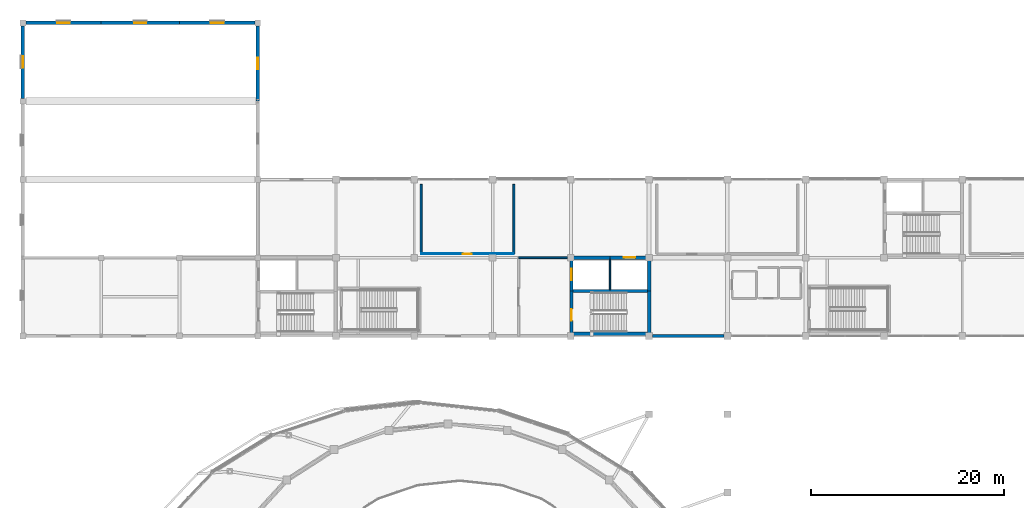
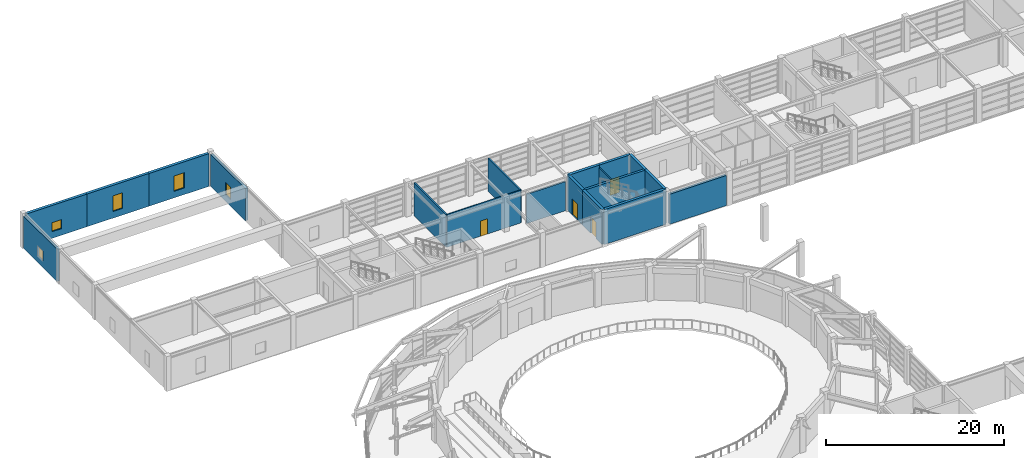
# One storey, part 45 of 58: 19 walls, 5 windows, 4 doors, 9 openings.
"""IFC4 building model written with IfcOpenShell, lengths in metres."""

from ifc_helpers import new_model, si_unit, direction, frame, frame_2d, origin, place, context, subcontext, project, spatial, rectangle, extrude, material, layer, layer_set, type_object, element, fill, save


model = new_model("IFC4")

# Units and contexts
model_context = context("Model", 3, precision=1e-05, world=origin(), true_north=direction((0.0, 1.0)))
body_context = subcontext(model_context, "Body", "Model", "MODEL_VIEW")
ifc_project = project(units=[si_unit("LENGTHUNIT", "METRE"), si_unit("AREAUNIT", "SQUARE_METRE"), si_unit("VOLUMEUNIT", "CUBIC_METRE"), si_unit("PLANEANGLEUNIT", "RADIAN"), si_unit("MASSUNIT", "GRAM", prefix="KILO")], contexts=[model_context])

# Site, building, storey
site_placement = place(None, origin())
site = spatial("IfcSite", under=ifc_project, at=site_placement, CompositionType="ELEMENT")
building_placement = place(site_placement, origin())
building = spatial("IfcBuilding", under=site, at=building_placement, Name="Parian Resonance Hall", CompositionType="ELEMENT")
storey_placement = place(building_placement, frame((0.0, 0.0, 10.199951171875)))
storey = spatial("IfcBuildingStorey", under=building, at=storey_placement, Name="L02", CompositionType="ELEMENT", Elevation=10.199951171875)

# Wall
ifc_material_1 = material(Name="Concrete C40/50", Category="concrete")
ifc_layer_1 = layer(ifc_material_1, 0.31005859375)
ifc_layer_set_1 = layer_set([ifc_layer_1], Name="Concrete C40/50")
wall_type_1 = type_object("IfcWallType", Name="CW310", PredefinedType="SHEAR", material=ifc_layer_set_1)
wall_1_placement = place(storey_placement, frame((56.77001953125, 77.550048828125, 0.0), z_axis=(0.0, 0.0, 1.0), x_axis=(1.0, 0.0, 0.0)))
element("IfcWall", 1, at=wall_1_placement, inside=storey, type_object=wall_type_1, Name="Core K1 stair-lift divider wall L02", PredefinedType="SHEAR", context=body_context, shape_type="SweptSolid", body=[
    extrude(rectangle(XDim=8.06005859375, YDim=0.31005859375, at=frame_2d((4.030029296875, 0.0))), origin(), (0.0, 0.0, 1.0), 4.800048828125),
])

# Wall, opening, door
ifc_material_2 = material(Name="Concrete C40/50", Category="concrete")
ifc_layer_2 = layer(ifc_material_2, 0.35009765625)
ifc_layer_set_2 = layer_set([ifc_layer_2], Name="Concrete C40/50")
wall_type_2 = type_object("IfcWallType", Name="CW350", PredefinedType="SHEAR", material=ifc_layer_set_2)
wall_2_placement = place(storey_placement, frame((56.77001953125, 73.1298828125, 0.0), z_axis=(0.0, 0.0, 1.0), x_axis=(0.0, 1.0, 0.0)))
wall_2 = element("IfcWall", 2, at=wall_2_placement, inside=storey, type_object=wall_type_2, Name="Core K1 stairwell west shear wall L02", PredefinedType="SHEAR", context=body_context, shape_type="SweptSolid", body=[
    extrude(rectangle(XDim=4.420166015625, YDim=0.35009765625, at=frame_2d((2.2099609375, 0.0))), origin(), (0.0, 0.0, 1.0), 4.800048828125),
])
opening_1_placement = place(wall_2_placement, frame((1.35009765625, 0.0, 0.0)))
opening_1 = element("IfcOpeningElement", 3, at=opening_1_placement, cuts=wall_2, Name="Opening FD-01", PredefinedType="OPENING", context=body_context, shape_type="SweptSolid", body=[
    extrude(rectangle(XDim=1.199951171875, YDim=2.25, at=frame_2d((0.60009765625, 1.125))), frame((0.0, 0.18505859375, 0.0), z_axis=(0.0, -1.0, 0.0), x_axis=(1.0, 0.0, 0.0)), (0.0, 0.0, 1.0), 0.3701171875),
])
ifc_material_3 = material(Name="Fire-rated acoustic steel and narra timber door", Category="steel")
door_type_1 = type_object("IfcDoorType", Name="FD-01", OperationType="NOTDEFINED", PredefinedType="DOOR", material=ifc_material_3)
door_1_placement = place(opening_1_placement, origin())
door_1 = element("IfcDoor", 4, at=door_1_placement, inside=storey, type_object=door_type_1, Name="Exit stair ST-01 fire door L02", OperationType="SINGLE_SWING_RIGHT", OverallHeight=2.25, OverallWidth=1.199951171875, PredefinedType="DOOR", context=body_context, shape_type="SweptSolid", body=[
    extrude(rectangle(XDim=1.199951171875, YDim=2.25, at=frame_2d((0.60009765625, 1.125))), frame((0.0, 0.02490234375, 0.0), z_axis=(0.0, -1.0, 0.0), x_axis=(1.0, 0.0, 0.0)), (0.0, 0.0, 1.0), 0.050048828125),
])
fill(opening_1, door_1)

wall_3_placement = place(storey_placement, frame((56.77001953125, 77.550048828125, 0.0), z_axis=(0.0, 0.0, 1.0), x_axis=(0.0, 1.0, 0.0)))
wall_3 = element("IfcWall", 5, at=wall_3_placement, inside=storey, type_object=wall_type_2, Name="Core K1 lift shaft west shear wall L02", PredefinedType="SHEAR", context=body_context, shape_type="SweptSolid", body=[
    extrude(rectangle(XDim=3.449951171875, YDim=0.35009765625, at=frame_2d((1.72509765625, 0.0))), origin(), (0.0, 0.0, 1.0), 4.800048828125),
])
opening_2_placement = place(wall_3_placement, frame((1.125, 0.0, 0.0)))
opening_2 = element("IfcOpeningElement", 6, at=opening_2_placement, cuts=wall_3, Name="Opening LD-01", PredefinedType="OPENING", context=body_context, shape_type="SweptSolid", body=[
    extrude(rectangle(XDim=1.199951171875, YDim=2.199951171875, at=frame_2d((0.60009765625, 1.10009765625))), frame((0.0, 0.18505859375, 0.0), z_axis=(0.0, -1.0, 0.0), x_axis=(1.0, 0.0, 0.0)), (0.0, 0.0, 1.0), 0.3701171875),
])
ifc_material_4 = material(Name="Stainless steel and bronze elevator cab", Category="steel")
door_type_2 = type_object("IfcDoorType", Name="DOOR-LIFT-1200x2200", OperationType="SLIDING_TO_LEFT", PredefinedType="DOOR", material=ifc_material_4)
door_2_placement = place(opening_2_placement, origin())
door_2 = element("IfcDoor", 7, at=door_2_placement, inside=storey, type_object=door_type_2, Name="Lift LF-01 sliding landing door L02", OperationType="SLIDING_TO_LEFT", OverallHeight=2.199951171875, OverallWidth=1.199951171875, PredefinedType="DOOR", context=body_context, shape_type="SweptSolid", body=[
    extrude(rectangle(XDim=1.199951171875, YDim=2.199951171875, at=frame_2d((0.60009765625, 1.10009765625))), frame((0.0, 0.02490234375, 0.0), z_axis=(0.0, -1.0, 0.0), x_axis=(1.0, 0.0, 0.0)), (0.0, 0.0, 1.0), 0.050048828125),
])
fill(opening_2, door_2)

# Wall
wall_4_placement = place(storey_placement, frame((56.77001953125, 81.0, 0.0), z_axis=(0.0, 0.0, 1.0), x_axis=(1.0, 0.0, 0.0)))
element("IfcWall", 8, at=wall_4_placement, inside=storey, type_object=wall_type_2, Name="Core K1 north-west shaft wall L02", PredefinedType="SHEAR", context=body_context, shape_type="SweptSolid", body=[
    extrude(rectangle(XDim=3.97998046875, YDim=0.35009765625, at=frame_2d((1.989990234375, 0.0))), origin(), (0.0, 0.0, 1.0), 4.800048828125),
])

# Wall, opening, door
wall_5_placement = place(storey_placement, frame((60.75, 81.0, 0.0), z_axis=(0.0, 0.0, 1.0), x_axis=(1.0, 0.0, 0.0)))
wall_5 = element("IfcWall", 9, at=wall_5_placement, inside=storey, type_object=wall_type_2, Name="Core K1 north-east shaft wall L02", PredefinedType="SHEAR", context=body_context, shape_type="SweptSolid", body=[
    extrude(rectangle(XDim=4.080078125, YDim=0.35009765625, at=frame_2d((2.0400390625, 0.0))), origin(), (0.0, 0.0, 1.0), 4.800048828125),
])
opening_3_placement = place(wall_5_placement, frame((1.43994140625, 0.0, 0.0)))
opening_3 = element("IfcOpeningElement", 10, at=opening_3_placement, cuts=wall_5, Name="Opening LD-01", PredefinedType="OPENING", context=body_context, shape_type="SweptSolid", body=[
    extrude(rectangle(XDim=1.199951171875, YDim=2.199951171875, at=frame_2d((0.60009765625, 1.10009765625))), frame((0.0, 0.18505859375, 0.0), z_axis=(0.0, -1.0, 0.0), x_axis=(1.0, 0.0, 0.0)), (0.0, 0.0, 1.0), 0.3701171875),
])
door_3_placement = place(opening_3_placement, origin())
door_3 = element("IfcDoor", 11, at=door_3_placement, inside=storey, type_object=door_type_2, Name="Lift LF-03 sliding landing door L02", OperationType="SLIDING_TO_LEFT", OverallHeight=2.199951171875, OverallWidth=1.199951171875, PredefinedType="DOOR", context=body_context, shape_type="SweptSolid", body=[
    extrude(rectangle(XDim=1.199951171875, YDim=2.199951171875, at=frame_2d((0.60009765625, 1.10009765625))), frame((0.0, 0.02490234375, 0.0), z_axis=(0.0, -1.0, 0.0), x_axis=(1.0, 0.0, 0.0)), (0.0, 0.0, 1.0), 0.050048828125),
])
fill(opening_3, door_3)

# Walls
wall_6_placement = place(storey_placement, frame((64.830078125, 81.0, 0.0), z_axis=(0.0, 0.0, 1.0), x_axis=(0.0, -1.0, 0.0)))
element("IfcWall", 12, at=wall_6_placement, inside=storey, type_object=wall_type_2, Name="Core K1 east shaft wall L02", PredefinedType="SHEAR", context=body_context, shape_type="SweptSolid", body=[
    extrude(rectangle(XDim=3.449951171875, YDim=0.35009765625, at=frame_2d((1.72509765625, 0.0))), origin(), (0.0, 0.0, 1.0), 4.800048828125),
])
wall_7_placement = place(storey_placement, frame((64.830078125, 77.550048828125, 0.0), z_axis=(0.0, 0.0, 1.0), x_axis=(0.0, -1.0, 0.0)))
element("IfcWall", 13, at=wall_7_placement, inside=storey, type_object=wall_type_2, Name="Core K1 stairwell east wall L02", PredefinedType="SHEAR", context=body_context, shape_type="SweptSolid", body=[
    extrude(rectangle(XDim=4.420166015625, YDim=0.35009765625, at=frame_2d((2.2099609375, 0.0))), origin(), (0.0, 0.0, 1.0), 4.800048828125),
])
wall_8_placement = place(storey_placement, frame((64.830078125, 73.1298828125, 0.0), z_axis=(0.0, 0.0, 1.0), x_axis=(-1.0, 0.0, 0.0)))
element("IfcWall", 14, at=wall_8_placement, inside=storey, type_object=wall_type_2, Name="Core K1 stairwell south wall L02", PredefinedType="SHEAR", context=body_context, shape_type="SweptSolid", body=[
    extrude(rectangle(XDim=8.06005859375, YDim=0.35009765625, at=frame_2d((4.030029296875, 0.0))), origin(), (0.0, 0.0, 1.0), 4.800048828125),
])

# Wall, opening, window
ifc_material_5 = material(Name="Concrete C35/45 with Carcar coral-limestone ashlar", Category="masonry")
ifc_layer_3 = layer(ifc_material_5, 0.340087890625)
ifc_layer_set_3 = layer_set([ifc_layer_3], Name="Concrete C35/45 with Carcar coral-limestone ashlar")
wall_type_3 = type_object("IfcWallType", Name="EW-STONE-340", PredefinedType="SOLIDWALL", material=ifc_layer_set_3)
wall_9_placement = place(storey_placement, frame((24.300048828125, 97.199951171875, 0.0), z_axis=(0.0, 0.0, 1.0), x_axis=(0.0, 1.0, 0.0)))
wall_9 = element("IfcWall", 15, at=wall_9_placement, inside=storey, type_object=wall_type_3, Name="Exterior wall EW-L02-0116", PredefinedType="SOLIDWALL", context=body_context, shape_type="SweptSolid", body=[
    extrude(rectangle(XDim=7.800048828125, YDim=0.340087890625, at=frame_2d((3.89990234375, 0.0))), origin(), (0.0, 0.0, 1.0), 4.43701171875),
])
opening_4_placement = place(wall_9_placement, frame((3.324951171875, 0.0, 0.89990234375)))
opening_4 = element("IfcOpeningElement", 16, at=opening_4_placement, cuts=wall_9, Name="Opening WN-11", PredefinedType="OPENING", context=body_context, shape_type="SweptSolid", body=[
    extrude(rectangle(XDim=1.14990234375, YDim=1.699951171875, at=frame_2d((0.574951171875, 0.85009765625))), frame((0.0, 0.179931640625, 0.0), z_axis=(0.0, -1.0, 0.0), x_axis=(1.0, 0.0, 0.0)), (0.0, 0.0, 1.0), 0.360107421875),
])
ifc_material_6 = material(Name="Acoustic laminated double glazing", Category="glass")
window_type_1 = type_object("IfcWindowType", Name="WIN-1150x1700", PartitioningType="SINGLE_PANEL", PredefinedType="WINDOW", material=ifc_material_6)
window_1_placement = place(opening_4_placement, origin())
window_1 = element("IfcWindow", 17, at=window_1_placement, inside=storey, type_object=window_type_1, Name="Acoustic window L02-0010", OverallHeight=1.699951171875, OverallWidth=1.14990234375, PartitioningType="SINGLE_PANEL", PredefinedType="WINDOW", context=body_context, shape_type="SweptSolid", body=[
    extrude(rectangle(XDim=1.14990234375, YDim=1.699951171875, at=frame_2d((0.574951171875, 0.85009765625))), frame((0.0, 0.030029296875, 0.0), z_axis=(0.0, -1.0, 0.0), x_axis=(1.0, 0.0, 0.0)), (0.0, 0.0, 1.0), 0.06005859375),
])
fill(opening_4, window_1)

# Wall
wall_10_placement = place(storey_placement, frame((65.14990234375, 72.89990234375, 0.0), z_axis=(0.0, 0.0, 1.0), x_axis=(1.0, 0.0, 0.0)))
element("IfcWall", 18, at=wall_10_placement, inside=storey, type_object=wall_type_3, Name="Perimeter closure wall L02", PredefinedType="SOLIDWALL", context=body_context, shape_type="SweptSolid", body=[
    extrude(rectangle(XDim=7.400146484375, YDim=0.340087890625, at=frame_2d((3.7001953125, 0.0))), origin(), (0.0, 0.0, 1.0), 4.136962890625),
])

# Wall, opening, window
ifc_material_7 = material(Name="Concrete C35/45 with Carcar coral-limestone ashlar", Category="masonry")
ifc_layer_4 = layer(ifc_material_7, 0.360107421875)
ifc_layer_set_4 = layer_set([ifc_layer_4], Name="Concrete C35/45 with Carcar coral-limestone ashlar")
wall_type_4 = type_object("IfcWallType", Name="EW-STONE-360", PredefinedType="SOLIDWALL", material=ifc_layer_set_4)
wall_11_placement = place(storey_placement, frame((0.0, 97.5, 0.0), z_axis=(0.0, 0.0, 1.0), x_axis=(0.0, 1.0, 0.0)))
wall_11 = element("IfcWall", 19, at=wall_11_placement, inside=storey, type_object=wall_type_4, Name="Exterior wall EW-L02-0115", PredefinedType="SOLIDWALL", context=body_context, shape_type="SweptSolid", body=[
    extrude(rectangle(XDim=7.5, YDim=0.360107421875, at=frame_2d((3.75, 0.0))), origin(), (0.0, 0.0, 1.0), 4.43701171875),
])
opening_5_placement = place(wall_11_placement, frame((3.175048828125, 0.0, 0.89990234375)))
opening_5 = element("IfcOpeningElement", 20, at=opening_5_placement, cuts=wall_11, Name="Opening WN-10", PredefinedType="OPENING", context=body_context, shape_type="SweptSolid", body=[
    extrude(rectangle(XDim=1.14990234375, YDim=1.39990234375, at=frame_2d((0.574951171875, 0.699951171875))), frame((0.0, 0.18994140625, 0.0), z_axis=(0.0, -1.0, 0.0), x_axis=(1.0, 0.0, 0.0)), (0.0, 0.0, 1.0), 0.380126953125),
])
ifc_material_8 = material(Name="Acoustic laminated double glazing", Category="glass")
window_type_2 = type_object("IfcWindowType", Name="WIN-1150x1400", PartitioningType="SINGLE_PANEL", PredefinedType="WINDOW", material=ifc_material_8)
window_2_placement = place(opening_5_placement, origin())
window_2 = element("IfcWindow", 21, at=window_2_placement, inside=storey, type_object=window_type_2, Name="Acoustic window L02-0009", OverallHeight=1.39990234375, OverallWidth=1.14990234375, PartitioningType="SINGLE_PANEL", PredefinedType="WINDOW", context=body_context, shape_type="SweptSolid", body=[
    extrude(rectangle(XDim=1.14990234375, YDim=1.39990234375, at=frame_2d((0.574951171875, 0.699951171875))), frame((0.0, 0.030029296875, 0.0), z_axis=(0.0, -1.0, 0.0), x_axis=(1.0, 0.0, 0.0)), (0.0, 0.0, 1.0), 0.06005859375),
])
fill(opening_5, window_2)

wall_12_placement = place(storey_placement, frame((0.300048828125, 105.300048828125, 0.0), z_axis=(0.0, 0.0, 1.0), x_axis=(1.0, 0.0, 0.0)))
wall_12 = element("IfcWall", 22, at=wall_12_placement, inside=storey, type_object=wall_type_4, Name="Exterior wall EW-L02-0118", PredefinedType="SOLIDWALL", context=body_context, shape_type="SweptSolid", body=[
    extrude(rectangle(XDim=7.800048828125, YDim=0.360107421875, at=frame_2d((3.89990234375, 0.0))), origin(), (0.0, 0.0, 1.0), 4.5),
])
opening_6_placement = place(wall_12_placement, frame((3.27490234375, 0.0, 0.89990234375)))
opening_6 = element("IfcOpeningElement", 23, at=opening_6_placement, cuts=wall_12, Name="Opening WN-13", PredefinedType="OPENING", context=body_context, shape_type="SweptSolid", body=[
    extrude(rectangle(XDim=1.25, YDim=1.25, at=frame_2d((0.625, 0.625))), frame((0.0, 0.18994140625, 0.0), z_axis=(0.0, -1.0, 0.0), x_axis=(1.0, 0.0, 0.0)), (0.0, 0.0, 1.0), 0.380126953125),
])
ifc_material_9 = material(Name="Acoustic laminated double glazing", Category="glass")
window_type_3 = type_object("IfcWindowType", Name="WIN-1250x1250", PartitioningType="SINGLE_PANEL", PredefinedType="WINDOW", material=ifc_material_9)
window_3_placement = place(opening_6_placement, origin())
window_3 = element("IfcWindow", 24, at=window_3_placement, inside=storey, type_object=window_type_3, Name="Acoustic window L02-0012", OverallHeight=1.25, OverallWidth=1.25, PartitioningType="SINGLE_PANEL", PredefinedType="WINDOW", context=body_context, shape_type="SweptSolid", body=[
    extrude(rectangle(XDim=1.25, YDim=1.25, at=frame_2d((0.625, 0.625))), frame((0.0, 0.030029296875, 0.0), z_axis=(0.0, -1.0, 0.0), x_axis=(1.0, 0.0, 0.0)), (0.0, 0.0, 1.0), 0.06005859375),
])
fill(opening_6, window_3)

wall_13_placement = place(storey_placement, frame((8.10009765625, 105.300048828125, 0.0), z_axis=(0.0, 0.0, 1.0), x_axis=(1.0, 0.0, 0.0)))
wall_13 = element("IfcWall", 25, at=wall_13_placement, inside=storey, type_object=wall_type_4, Name="Exterior wall EW-L02-0121", PredefinedType="SOLIDWALL", context=body_context, shape_type="SweptSolid", body=[
    extrude(rectangle(XDim=8.099853515625, YDim=0.360107421875, at=frame_2d((4.0498046875, 0.0))), origin(), (0.0, 0.0, 1.0), 4.5),
])
opening_7_placement = place(wall_13_placement, frame((3.425048828125, 0.0, 0.89990234375)))
opening_7 = element("IfcOpeningElement", 26, at=opening_7_placement, cuts=wall_13, Name="Opening WN-16", PredefinedType="OPENING", context=body_context, shape_type="SweptSolid", body=[
    extrude(rectangle(XDim=1.25, YDim=2.14990234375, at=frame_2d((0.625, 1.074951171875))), frame((0.0, 0.18994140625, 0.0), z_axis=(0.0, -1.0, 0.0), x_axis=(1.0, 0.0, 0.0)), (0.0, 0.0, 1.0), 0.380126953125),
])
ifc_material_10 = material(Name="Acoustic laminated double glazing", Category="glass")
window_type_4 = type_object("IfcWindowType", Name="WIN-1250x2150", PartitioningType="SINGLE_PANEL", PredefinedType="WINDOW", material=ifc_material_10)
window_4_placement = place(opening_7_placement, origin())
window_4 = element("IfcWindow", 27, at=window_4_placement, inside=storey, type_object=window_type_4, Name="Acoustic window L02-0015", OverallHeight=2.14990234375, OverallWidth=1.25, PartitioningType="SINGLE_PANEL", PredefinedType="WINDOW", context=body_context, shape_type="SweptSolid", body=[
    extrude(rectangle(XDim=1.25, YDim=2.14990234375, at=frame_2d((0.625, 1.074951171875))), frame((0.0, 0.030029296875, 0.0), z_axis=(0.0, -1.0, 0.0), x_axis=(1.0, 0.0, 0.0)), (0.0, 0.0, 1.0), 0.06005859375),
])
fill(opening_7, window_4)

wall_14_placement = place(storey_placement, frame((16.199951171875, 105.300048828125, 0.0), z_axis=(0.0, 0.0, 1.0), x_axis=(1.0, 0.0, 0.0)))
wall_14 = element("IfcWall", 28, at=wall_14_placement, inside=storey, type_object=wall_type_4, Name="Exterior wall EW-L02-0124", PredefinedType="SOLIDWALL", context=body_context, shape_type="SweptSolid", body=[
    extrude(rectangle(XDim=7.800048828125, YDim=0.360107421875, at=frame_2d((3.89990234375, 0.0))), origin(), (0.0, 0.0, 1.0), 4.5),
])
opening_8_placement = place(wall_14_placement, frame((3.22509765625, 0.0, 0.89990234375)))
opening_8 = element("IfcOpeningElement", 29, at=opening_8_placement, cuts=wall_14, Name="Opening WN-19", PredefinedType="OPENING", context=body_context, shape_type="SweptSolid", body=[
    extrude(rectangle(XDim=1.35009765625, YDim=2.10009765625, at=frame_2d((0.675048828125, 1.050048828125))), frame((0.0, 0.18994140625, 0.0), z_axis=(0.0, -1.0, 0.0), x_axis=(1.0, 0.0, 0.0)), (0.0, 0.0, 1.0), 0.380126953125),
])
ifc_material_11 = material(Name="Acoustic laminated double glazing", Category="glass")
window_type_5 = type_object("IfcWindowType", Name="WIN-1350x2100", PartitioningType="SINGLE_PANEL", PredefinedType="WINDOW", material=ifc_material_11)
window_5_placement = place(opening_8_placement, origin())
window_5 = element("IfcWindow", 30, at=window_5_placement, inside=storey, type_object=window_type_5, Name="Acoustic window L02-0018", OverallHeight=2.10009765625, OverallWidth=1.35009765625, PartitioningType="SINGLE_PANEL", PredefinedType="WINDOW", context=body_context, shape_type="SweptSolid", body=[
    extrude(rectangle(XDim=1.35009765625, YDim=2.10009765625, at=frame_2d((0.675048828125, 1.050048828125))), frame((0.0, 0.030029296875, 0.0), z_axis=(0.0, -1.0, 0.0), x_axis=(1.0, 0.0, 0.0)), (0.0, 0.0, 1.0), 0.06005859375),
])
fill(opening_8, window_5)

# Walls
ifc_material_12 = material(Name="Concrete C35/45 fire barrier", Category="concrete")
ifc_layer_5 = layer(ifc_material_12, 0.199951171875)
ifc_layer_set_5 = layer_set([ifc_layer_5], Name="Concrete C35/45 fire barrier")
wall_type_5 = type_object("IfcWallType", Name="FW200", PredefinedType="PARTITIONING", material=ifc_layer_set_5)
wall_15_placement = place(storey_placement, frame((51.300048828125, 81.0, 0.0), z_axis=(0.0, 0.0, 1.0), x_axis=(1.0, 0.0, 0.0)))
element("IfcWall", 31, at=wall_15_placement, inside=storey, type_object=wall_type_5, Name="Firefighting lift lobby K1 N fire barrier L02", PredefinedType="PARTITIONING", context=body_context, shape_type="SweptSolid", body=[
    extrude(rectangle(XDim=5.050048828125, YDim=0.199951171875, at=frame_2d((2.52490234375, 0.0))), origin(), (0.0, 0.0, 1.0), 4.02099609375),
])
for number, where, z_axis, x_axis, name in (
    (32, (50.800048828125, 88.60009765625, 0.0), (0.0, 0.0, 1.0), (0.0, -1.0, 0.0), "Interior acoustic partition IW-L02-0180"),
    (33, (41.199951171875, 81.39990234375, 0.0), (0.0, 0.0, 1.0), (0.0, 1.0, 0.0), "Interior acoustic partition IW-L02-0182"),
):
    element("IfcWall", number, at=place(storey_placement, frame(where, z_axis=z_axis, x_axis=x_axis)), inside=storey, type_object=wall_type_5, Name=name, PredefinedType="PARTITIONING", context=body_context, shape_type="SweptSolid", body=[
        extrude(rectangle(XDim=7.2001953125, YDim=0.199951171875, at=frame_2d((3.60009765625, 0.0))), origin(), (0.0, 0.0, 1.0), 4.52001953125),
    ])

# Wall, opening, door
ifc_material_13 = material(Name="Concrete C35/45 acoustic masonry partition", Category="masonry")
ifc_layer_6 = layer(ifc_material_13, 0.10009765625)
ifc_layer_set_6 = layer_set([ifc_layer_6], Name="Concrete C35/45 acoustic masonry partition")
wall_type_6 = type_object("IfcWallType", Name="PW100", PredefinedType="PARTITIONING", material=ifc_layer_set_6)
wall_16_placement = place(storey_placement, frame((50.800048828125, 81.39990234375, 0.0), z_axis=(0.0, 0.0, 1.0), x_axis=(-1.0, 0.0, 0.0)))
wall_16 = element("IfcWall", 34, at=wall_16_placement, inside=storey, type_object=wall_type_6, Name="Interior acoustic partition IW-L02-0181", PredefinedType="PARTITIONING", context=body_context, shape_type="SweptSolid", body=[
    extrude(rectangle(XDim=9.60009765625, YDim=0.10009765625, at=frame_2d((4.800048828125, 0.0))), origin(), (0.0, 0.0, 1.0), 4.52001953125),
])
opening_9_placement = place(wall_16_placement, frame((4.340087890625, 0.0, 0.0)))
opening_9 = element("IfcOpeningElement", 35, at=opening_9_placement, cuts=wall_16, Name="Opening ID-20", PredefinedType="OPENING", context=body_context, shape_type="SweptSolid", body=[
    extrude(rectangle(XDim=0.919921875, YDim=2.10009765625, at=frame_2d((0.4599609375, 1.050048828125))), frame((0.0, 0.06005859375, 0.0), z_axis=(0.0, -1.0, 0.0), x_axis=(1.0, 0.0, 0.0)), (0.0, 0.0, 1.0), 0.1201171875),
])
ifc_material_14 = material(Name="Philippine narra acoustic timber door", Category="wood")
door_type_3 = type_object("IfcDoorType", Name="ID-OFF-0920x2100", OperationType="NOTDEFINED", PredefinedType="DOOR", material=ifc_material_14)
door_4_placement = place(opening_9_placement, origin())
door_4 = element("IfcDoor", 36, at=door_4_placement, inside=storey, type_object=door_type_3, Name="Ensemble Studio 01 door", OperationType="SINGLE_SWING_RIGHT", OverallHeight=2.10009765625, OverallWidth=0.919921875, PredefinedType="DOOR", context=body_context, shape_type="SweptSolid", body=[
    extrude(rectangle(XDim=0.919921875, YDim=2.10009765625, at=frame_2d((0.4599609375, 1.050048828125))), frame((0.0, 0.02490234375, 0.0), z_axis=(0.0, -1.0, 0.0), x_axis=(1.0, 0.0, 0.0)), (0.0, 0.0, 1.0), 0.050048828125),
])
fill(opening_9, door_4)

# Wall
ifc_material_15 = material(Name="Concrete C35/45 acoustic plumbing chase wall", Category="concrete")
ifc_layer_7 = layer(ifc_material_15, 0.14990234375)
ifc_layer_set_7 = layer_set([ifc_layer_7], Name="Concrete C35/45 acoustic plumbing chase wall")
wall_type_7 = type_object("IfcWallType", Name="PW150", PredefinedType="PLUMBINGWALL", material=ifc_layer_set_7)
wall_17_placement = place(storey_placement, frame((60.75, 77.7099609375, 0.0), z_axis=(0.0, 0.0, 1.0), x_axis=(0.0, 1.0, 0.0)))
element("IfcWall", 37, at=wall_17_placement, inside=storey, type_object=wall_type_7, Name="Core K1 shaft plumbing/riser divider L02", PredefinedType="PLUMBINGWALL", context=body_context, shape_type="SweptSolid", body=[
    extrude(rectangle(XDim=3.130126953125, YDim=0.14990234375, at=frame_2d((1.56494140625, 0.0))), origin(), (0.0, 0.0, 1.0), 4.449951171875),
])

save(model, "model.ifc")
